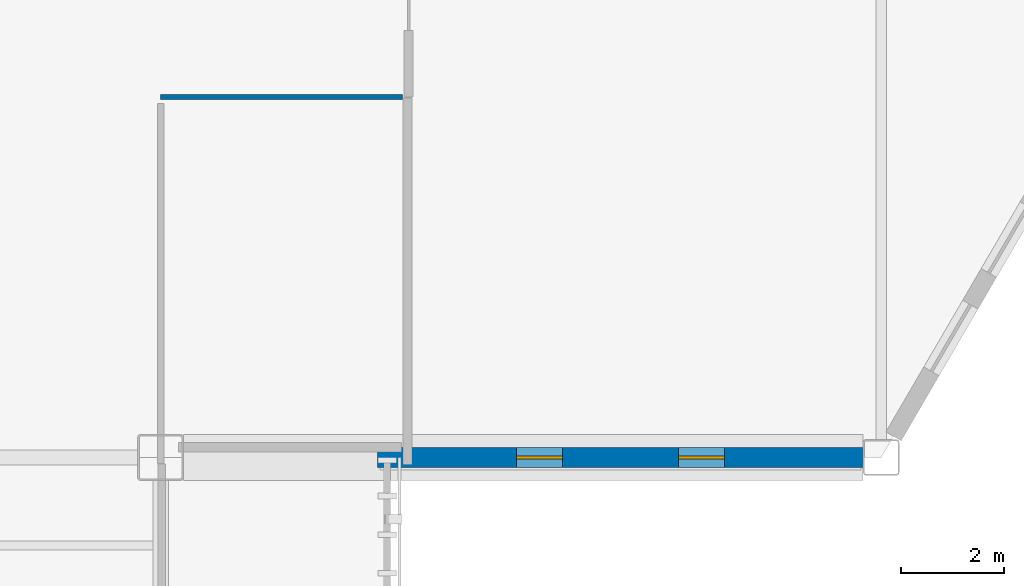
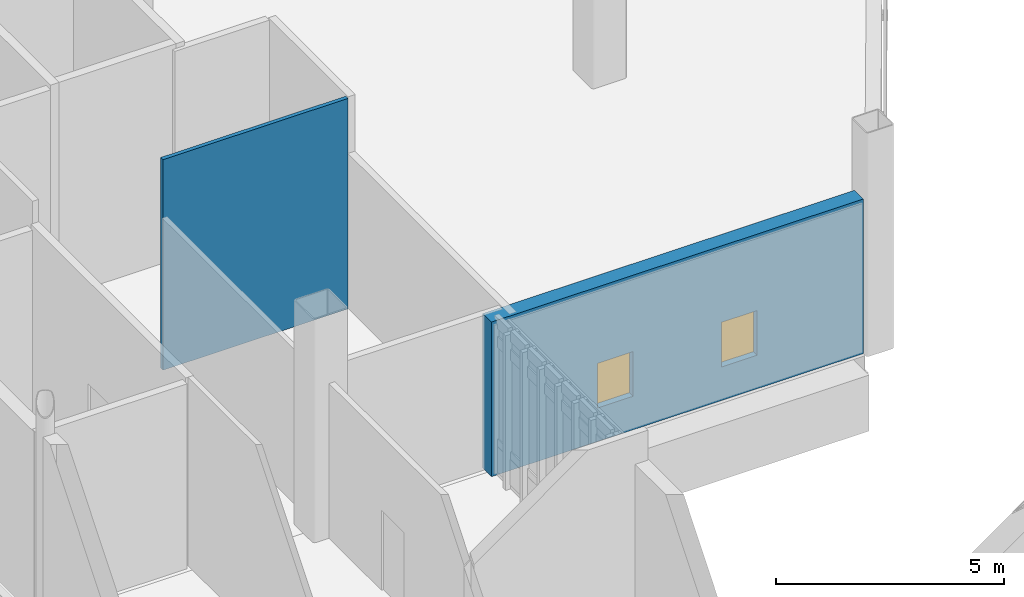
# One storey, part 110 of 135: 2 walls, 2 windows, 2 openings.
"""IFC4 building model written with IfcOpenShell, lengths in metres."""

from ifc_helpers import new_model, si_unit, direction, frame, frame_2d, origin, place, context, subcontext, project, spatial, rectangle, extrude, material, layer, layer_set, type_object, element, fill, save


model = new_model("IFC4")

# Units and contexts
model_context = context("Model", 3, precision=1e-05, world=origin(), true_north=direction((0.0, 1.0)))
body_context = subcontext(model_context, "Body", "Model", "MODEL_VIEW")
ifc_project = project(units=[si_unit("LENGTHUNIT", "METRE"), si_unit("AREAUNIT", "SQUARE_METRE"), si_unit("VOLUMEUNIT", "CUBIC_METRE"), si_unit("PLANEANGLEUNIT", "RADIAN"), si_unit("MASSUNIT", "GRAM", prefix="KILO")], contexts=[model_context])

# Site, building, storey
site_placement = place(None, origin())
site = spatial("IfcSite", under=ifc_project, at=site_placement, CompositionType="ELEMENT")
building_placement = place(site_placement, origin())
building = spatial("IfcBuilding", under=site, at=building_placement, Name="Larkvane Passage Sports Hall", CompositionType="ELEMENT")
storey_placement = place(building_placement, frame((0.0, 0.0, 10.800048828125)))
storey = spatial("IfcBuildingStorey", under=building, at=storey_placement, Name="L02", CompositionType="ELEMENT", Elevation=10.800048828125)

# Wall, openings, windows
ifc_material_1 = material(Name="Concrete C40/50", Category="concrete")
ifc_layer_1 = layer(ifc_material_1, 0.385009765625)
ifc_layer_set_1 = layer_set([ifc_layer_1], Name="Concrete C40/50")
wall_type_1 = type_object("IfcWallType", Name="WL-EXT-385", PredefinedType="SOLIDWALL", material=ifc_layer_set_1)
wall_1_placement = place(storey_placement, frame((145.25390625, 63.60009765625, 0.0), z_axis=(0.0, 0.0, 1.0), x_axis=(-1.0, 0.0, 0.0)))
wall_1 = element("IfcWall", 1, at=wall_1_placement, inside=storey, type_object=wall_type_1, Name="Exterior wall WAL-EXT-L02-116", PredefinedType="SOLIDWALL", context=body_context, shape_type="SweptSolid", body=[
    extrude(rectangle(XDim=9.438720703125, YDim=0.385009765625, at=frame_2d((4.71923828125, 0.0))), origin(), (0.0, 0.0, 1.0), 4.14794921875),
])
opening_1_placement = place(wall_1_placement, frame((2.696044921875, 0.0, 0.89990234375)))
opening_1 = element("IfcOpeningElement", 2, at=opening_1_placement, cuts=wall_1, Name="Opening W-09", PredefinedType="OPENING", context=body_context, shape_type="SweptSolid", body=[
    extrude(rectangle(XDim=0.89990234375, YDim=1.199951171875, at=frame_2d((0.449951171875, 0.60009765625))), frame((0.0, 0.202392578125, 0.0), z_axis=(0.0, -1.0, 0.0), x_axis=(1.0, 0.0, 0.0)), (0.0, 0.0, 1.0), 0.405029296875),
])
opening_2_placement = place(wall_1_placement, frame((5.843017578125, 0.0, 0.89990234375)))
opening_2 = element("IfcOpeningElement", 3, at=opening_2_placement, cuts=wall_1, Name="Opening W-09", PredefinedType="OPENING", context=body_context, shape_type="SweptSolid", body=[
    extrude(rectangle(XDim=0.89990234375, YDim=1.199951171875, at=frame_2d((0.449951171875, 0.60009765625))), frame((0.0, 0.202392578125, 0.0), z_axis=(0.0, -1.0, 0.0), x_axis=(1.0, 0.0, 0.0)), (0.0, 0.0, 1.0), 0.405029296875),
])
ifc_material_2 = material(Name="Thermally broken aluminium and laminated low-E glass", Category="aluminium")
window_type = type_object("IfcWindowType", Name="WN-CAS-900x1200", PartitioningType="SINGLE_PANEL", PredefinedType="WINDOW", material=ifc_material_2)
window_1_placement = place(opening_1_placement, origin())
window_1 = element("IfcWindow", 4, at=window_1_placement, inside=storey, type_object=window_type, Name="Window L02-041", OverallHeight=1.199951171875, OverallWidth=0.89990234375, PartitioningType="SINGLE_PANEL", PredefinedType="WINDOW", context=body_context, shape_type="SweptSolid", body=[
    extrude(rectangle(XDim=0.89990234375, YDim=1.199951171875, at=frame_2d((0.449951171875, 0.60009765625))), frame((0.0, 0.030029296875, 0.0), z_axis=(0.0, -1.0, 0.0), x_axis=(1.0, 0.0, 0.0)), (0.0, 0.0, 1.0), 0.06005859375),
])
fill(opening_1, window_1)
window_2_placement = place(opening_2_placement, origin())
window_2 = element("IfcWindow", 5, at=window_2_placement, inside=storey, type_object=window_type, Name="Window L02-042", OverallHeight=1.199951171875, OverallWidth=0.89990234375, PartitioningType="SINGLE_PANEL", PredefinedType="WINDOW", context=body_context, shape_type="SweptSolid", body=[
    extrude(rectangle(XDim=0.89990234375, YDim=1.199951171875, at=frame_2d((0.449951171875, 0.60009765625))), frame((0.0, 0.030029296875, 0.0), z_axis=(0.0, -1.0, 0.0), x_axis=(1.0, 0.0, 0.0)), (0.0, 0.0, 1.0), 0.06005859375),
])
fill(opening_2, window_2)

# Wall
ifc_material_3 = material(Name="Gypsum twin-stud acoustic partition")
ifc_layer_2 = layer(ifc_material_3, 0.10009765625)
ifc_layer_set_2 = layer_set([ifc_layer_2], Name="Gypsum twin-stud acoustic partition")
wall_type_2 = type_object("IfcWallType", Name="WL-PART-100", PredefinedType="PARTITIONING", material=ifc_layer_set_2)
wall_2_placement = place(storey_placement, frame((136.300048828125, 70.60009765625, 0.0), z_axis=(0.0, 0.0, 1.0), x_axis=(-1.0, 0.0, 0.0)))
element("IfcWall", 6, at=wall_2_placement, inside=storey, type_object=wall_type_2, Name="Interior partition WAL-PART-L02-0278", PredefinedType="PARTITIONING", context=body_context, shape_type="SweptSolid", body=[
    extrude(rectangle(XDim=4.699951171875, YDim=0.10009765625, at=frame_2d((2.35009765625, 0.0))), origin(), (0.0, 0.0, 1.0), 5.64990234375),
])

save(model, "model.ifc")
